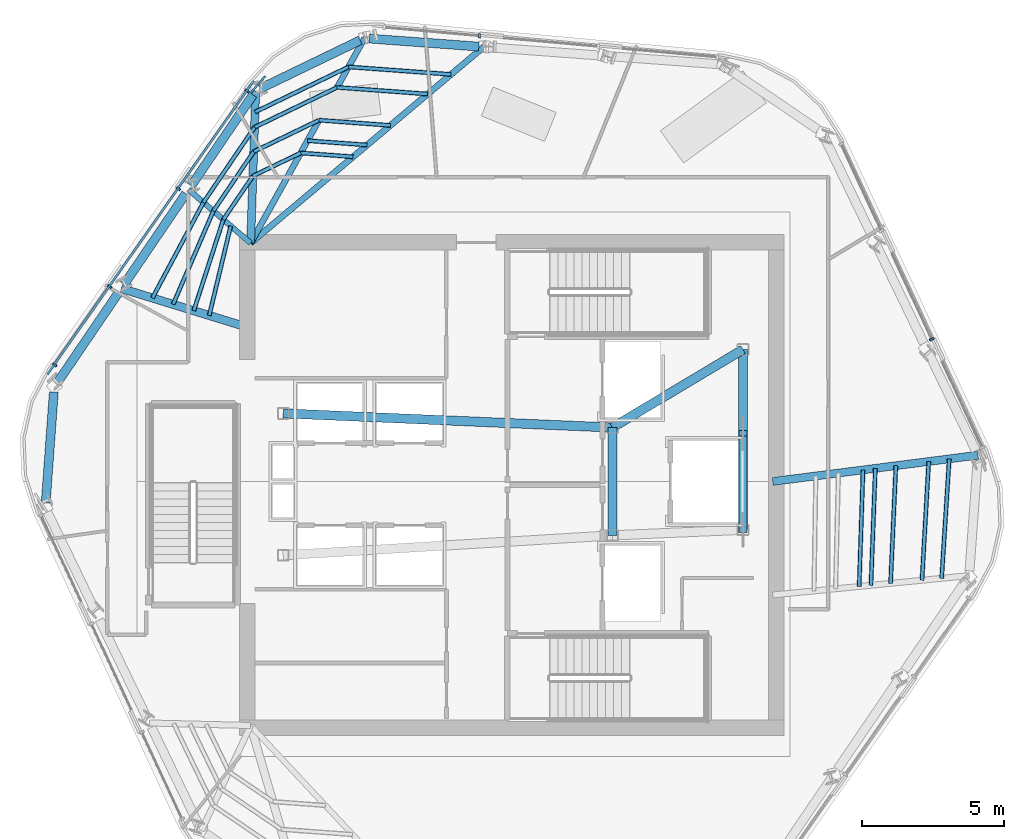
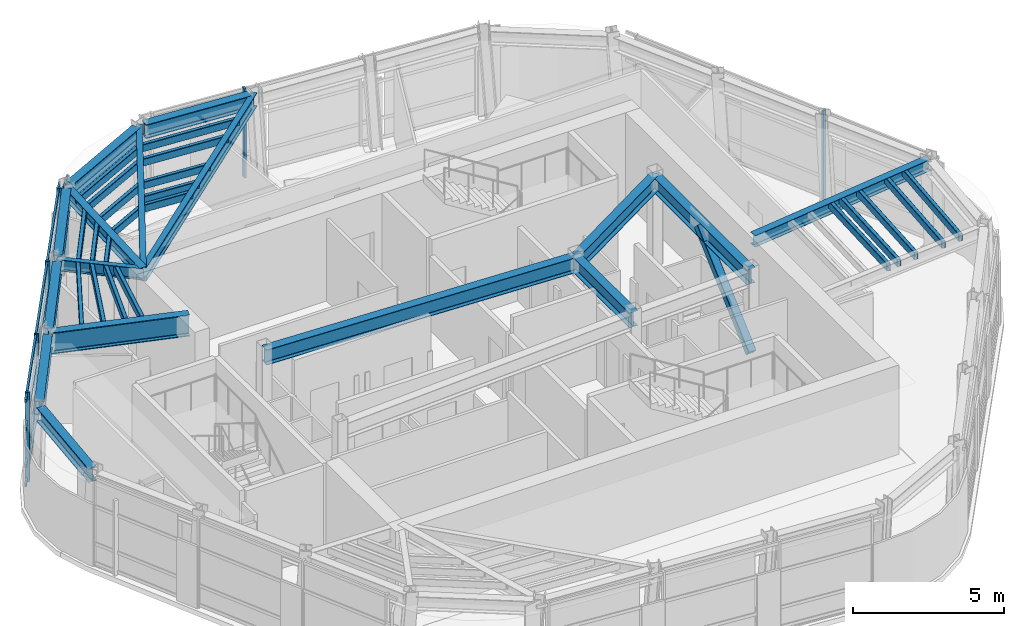
# One storey, part 3 of 12: 33 members, 16 beams, 3 elements without a shape of their own.
"""IFC4 building model written with IfcOpenShell, lengths in metres."""

from ifc_helpers import new_model, si_unit, direction, frame, origin, origin_2d, place, context, subcontext, project, spatial, rectangle, hollow_rectangle, i_section, extrude, material, layer, layer_set, material_profile, profile_set, type_object, element, aggregate, save


model = new_model("IFC4")

# Units and contexts
model_context = context("Model", 3, precision=1e-05, world=origin(), true_north=direction((0.0, 1.0)))
body_context = subcontext(model_context, "Body", "Model", "MODEL_VIEW")
ifc_project = project(units=[si_unit("LENGTHUNIT", "METRE"), si_unit("AREAUNIT", "SQUARE_METRE"), si_unit("VOLUMEUNIT", "CUBIC_METRE"), si_unit("PLANEANGLEUNIT", "RADIAN"), si_unit("MASSUNIT", "GRAM", prefix="KILO")], contexts=[model_context])

# Site, building, storey
site_placement = place(None, origin())
site = spatial("IfcSite", under=ifc_project, at=site_placement, CompositionType="ELEMENT")
building_placement = place(site_placement, origin())
building = spatial("IfcBuilding", under=site, at=building_placement, Name="Valkerne Bourse Tower", CompositionType="ELEMENT")
storey_placement = place(building_placement, frame((0.0, 0.0, 262.199951171875)))
storey = spatial("IfcBuildingStorey", under=building, at=storey_placement, Name="L66", CompositionType="ELEMENT", Elevation=262.199951171875)

# Beams
ifc_material_1 = material(Name="Steel ASTM A992", Category="steel")
ifc_material_profile_1 = material_profile(ifc_material_1, i_section(OverallWidth=0.1904296875, OverallDepth=0.457275390625, WebThickness=0.009033203125, FlangeThickness=0.014404296875, FilletRadius=0.01513671875, at=origin_2d()), Name="W18X50")
ifc_profile_set_1 = profile_set([ifc_material_profile_1], Name="Steel ASTM A992")
beam_type_1 = type_object("IfcBeamType", Name="BM-W18X50", PredefinedType="JOIST", material=ifc_profile_set_1)
beam_1_placement = place(storey_placement, frame((35.4130859375, 37.284912109375, 3.371337890625), z_axis=(0.757469079765, -0.652871038721, 0.0), x_axis=(0.652871038721, 0.757469079765, 0.0)))
element("IfcBeam", 1, at=beam_1_placement, inside=storey, type_object=beam_type_1, Name="L66 Radial Composite Floor Beam 05", PredefinedType="JOIST", context=body_context, shape_type="SweptSolid", body=[
    extrude(i_section(OverallWidth=0.1904296875, OverallDepth=0.457275390625, WebThickness=0.009033203125, FlangeThickness=0.014404296875, FilletRadius=0.01513671875, at=origin_2d()), origin(), (0.0, 0.0, 1.0), 2.88720703125),
])
ifc_material_profile_2 = material_profile(ifc_material_1, i_section(OverallWidth=0.279296875, OverallDepth=0.46240234375, WebThickness=0.0107421875, FlangeThickness=0.017333984375, FilletRadius=0.017822265625, at=origin_2d()), Name="W18X76")
ifc_profile_set_2 = profile_set([ifc_material_profile_2], Name="Steel ASTM A992")
beam_type_2 = type_object("IfcBeamType", Name="BM-W18X76", PredefinedType="BEAM", material=ifc_profile_set_2)
beam_2_placement = place(storey_placement, frame((37.78076171875, 40.7685546875, 3.368896484375), z_axis=(-0.033632621868, -0.999434263344, 0.0), x_axis=(0.999434263344, -0.033632621868, 0.0)))
element("IfcBeam", 2, at=beam_2_placement, inside=storey, type_object=beam_type_2, Name="L66 Radial Composite Floor Beam 04", PredefinedType="BEAM", context=body_context, shape_type="SweptSolid", body=[
    extrude(i_section(OverallWidth=0.279296875, OverallDepth=0.46240234375, WebThickness=0.0107421875, FlangeThickness=0.017333984375, FilletRadius=0.017822265625, at=origin_2d()), origin(), (0.0, 0.0, 1.0), 5.37158203125),
])
beam_3_placement = place(storey_placement, frame((63.2333984375, 27.9267578125, 3.368896484375), z_axis=(-0.991892055638, -0.127083240286, 0.0), x_axis=(0.127083240286, -0.991892055638, 0.0)))
element("IfcBeam", 3, at=beam_3_placement, inside=storey, type_object=beam_type_2, Name="L66 Radial Composite Floor Beam 20", PredefinedType="BEAM", context=body_context, shape_type="SweptSolid", body=[
    extrude(i_section(OverallWidth=0.279296875, OverallDepth=0.46240234375, WebThickness=0.0107421875, FlangeThickness=0.017333984375, FilletRadius=0.017822265625, at=origin_2d()), origin(), (0.0, 0.0, 1.0), 7.29248046875),
])
ifc_material_profile_3 = material_profile(ifc_material_1, i_section(OverallWidth=0.31494140625, OverallDepth=0.5537109375, WebThickness=0.0166015625, FlangeThickness=0.026123046875, FilletRadius=0.020263671875, at=origin_2d()), Name="W21X132")
ifc_profile_set_3 = profile_set([ifc_material_profile_3], Name="Steel ASTM A992")
beam_type_3 = type_object("IfcBeamType", Name="BM-W21X132", PredefinedType="BEAM", material=ifc_profile_set_3)
beam_4_placement = place(storey_placement, frame((45.643310546875, 42.32470703125, 3.3232421875), z_axis=(-0.997317245679, 0.073200488193, 0.0), x_axis=(-0.073200488193, -0.997317245679, 0.0)))
element("IfcBeam", 4, at=beam_4_placement, inside=storey, type_object=beam_type_3, Name="L66 Hexagonal Spandrel Ring Beam 02", PredefinedType="BEAM", context=body_context, shape_type="SweptSolid", body=[
    extrude(i_section(OverallWidth=0.31494140625, OverallDepth=0.5537109375, WebThickness=0.0166015625, FlangeThickness=0.026123046875, FilletRadius=0.020263671875, at=origin_2d()), origin(), (0.0, 0.0, 1.0), 3.872314453125),
])
beam_5_placement = place(storey_placement, frame((41.458984375, 42.546630859375, 3.3232421875), z_axis=(-0.900320856129, -0.435226786881, 0.0), x_axis=(0.435226786881, -0.900320856129, 0.0)))
element("IfcBeam", 5, at=beam_5_placement, inside=storey, type_object=beam_type_3, Name="L66 Hexagonal Spandrel Ring Beam 03", PredefinedType="BEAM", context=body_context, shape_type="SweptSolid", body=[
    extrude(i_section(OverallWidth=0.31494140625, OverallDepth=0.5537109375, WebThickness=0.0166015625, FlangeThickness=0.026123046875, FilletRadius=0.020263671875, at=origin_2d()), origin(), (0.0, 0.0, 1.0), 3.91552734375),
])
for number, where, z_axis, x_axis, name in (
    (6, (37.68505859375, 40.6279296875, 3.3232421875), (-0.562040953574, -0.827109404194, 0.0), (0.827109404194, -0.562040953574, 0.0), "L66 Hexagonal Spandrel Ring Beam 04"),
    (7, (35.317626953125, 37.144287109375, 3.3232421875), (-0.562040953574, -0.827109404194, 0.0), (0.827109404194, -0.562040953574, 0.0), "L66 Hexagonal Spandrel Ring Beam 05"),
    (8, (32.9501953125, 33.660400390625, 3.3232421875), (-0.562113397483, -0.827060172158, 0.0), (0.827060172158, -0.562113397483, 0.0), "L66 Hexagonal Spandrel Ring Beam 06"),
):
    element("IfcBeam", number, at=place(storey_placement, frame(where, z_axis=z_axis, x_axis=x_axis)), inside=storey, type_object=beam_type_3, Name=name, PredefinedType="BEAM", context=body_context, shape_type="SweptSolid", body=[
        extrude(i_section(OverallWidth=0.31494140625, OverallDepth=0.5537109375, WebThickness=0.0166015625, FlangeThickness=0.026123046875, FilletRadius=0.020263671875, at=origin_2d()), origin(), (0.0, 0.0, 1.0), 3.8720703125),
    ])
beam_6_placement = place(storey_placement, frame((30.665771484375, 30.14794921875, 3.3232421875), z_axis=(-0.073258487106, -0.997312987014, 0.0), x_axis=(0.997312987014, -0.073258487106, 0.0)))
element("IfcBeam", 9, at=beam_6_placement, inside=storey, type_object=beam_type_3, Name="L66 Hexagonal Spandrel Ring Beam 07", PredefinedType="BEAM", context=body_context, shape_type="SweptSolid", body=[
    extrude(i_section(OverallWidth=0.31494140625, OverallDepth=0.5537109375, WebThickness=0.0166015625, FlangeThickness=0.026123046875, FilletRadius=0.020263671875, at=origin_2d()), origin(), (0.0, 0.0, 1.0), 3.915771484375),
])
ifc_material_profile_4 = material_profile(ifc_material_1, i_section(OverallWidth=0.209228515625, OverallDepth=0.533447265625, WebThickness=0.01025390625, FlangeThickness=0.015625, FilletRadius=0.017822265625, at=origin_2d()), Name="W21X62")
ifc_profile_set_4 = profile_set([ifc_material_profile_4], Name="Steel ASTM A992")
beam_type_4 = type_object("IfcBeamType", Name="BM-W21X62", PredefinedType="JOIST", material=ifc_profile_set_4)
beam_7_placement = place(storey_placement, frame((41.612060546875, 42.62060546875, 3.333251953125), z_axis=(-0.485685590903, -0.874133574913, 0.0), x_axis=(0.874133574913, -0.485685590903, 0.0)))
element("IfcBeam", 10, at=beam_7_placement, inside=storey, type_object=beam_type_4, Name="L66 Radial Composite Floor Beam 03", PredefinedType="JOIST", context=body_context, shape_type="SweptSolid", body=[
    extrude(i_section(OverallWidth=0.209228515625, OverallDepth=0.533447265625, WebThickness=0.01025390625, FlangeThickness=0.015625, FilletRadius=0.017822265625, at=origin_2d()), origin(), (0.0, 0.0, 1.0), 8.260498046875),
])
ifc_material_profile_5 = material_profile(ifc_material_1, i_section(OverallWidth=0.2138671875, OverallDepth=0.548583984375, WebThickness=0.0146484375, FlangeThickness=0.023681640625, FilletRadius=0.017822265625, at=origin_2d()), Name="W21X93")
ifc_profile_set_5 = profile_set([ifc_material_profile_5], Name="Steel ASTM A992")
beam_type_5 = type_object("IfcBeamType", Name="BM-W21X93", PredefinedType="BEAM", material=ifc_profile_set_5)
beam_8_placement = place(storey_placement, frame((45.812744140625, 42.312255859375, 3.32568359375), z_axis=(-0.765074544626, -0.64394172187, 0.0), x_axis=(0.64394172187, -0.765074544626, 0.0)))
element("IfcBeam", 11, at=beam_8_placement, inside=storey, type_object=beam_type_5, Name="L66 Radial Composite Floor Beam 02", PredefinedType="BEAM", context=body_context, shape_type="SweptSolid", body=[
    extrude(i_section(OverallWidth=0.2138671875, OverallDepth=0.548583984375, WebThickness=0.0146484375, FlangeThickness=0.023681640625, FilletRadius=0.017822265625, at=origin_2d()), origin(), (0.0, 0.0, 1.0), 10.734375),
])
ifc_material_profile_6 = material_profile(ifc_material_1, i_section(OverallWidth=0.3251953125, OverallDepth=0.612060546875, WebThickness=0.0126953125, FlangeThickness=0.01904296875, FilletRadius=0.020263671875, at=origin_2d()), Name="W24X104")
ifc_profile_set_6 = profile_set([ifc_material_profile_6], Name="Steel ASTM A992")
beam_type_6 = type_object("IfcBeamType", Name="BM-W24X104", PredefinedType="BEAM", material=ifc_profile_set_6)
beam_9_placement = place(storey_placement, frame((50.35009765625, 25.10009765625, 3.2939453125), z_axis=(0.0, 1.0, 0.0), x_axis=(-1.0, 0.0, 0.0)))
element("IfcBeam", 12, at=beam_9_placement, inside=storey, type_object=beam_type_6, Name="L66 Core Frame Girder CG-CE", PredefinedType="BEAM", context=body_context, shape_type="SweptSolid", body=[
    extrude(i_section(OverallWidth=0.3251953125, OverallDepth=0.612060546875, WebThickness=0.0126953125, FlangeThickness=0.01904296875, FilletRadius=0.020263671875, at=origin_2d()), origin(), (0.0, 0.0, 1.0), 3.7998046875),
])
beam_10_placement = place(storey_placement, frame((50.35009765625, 28.89990234375, 3.2939453125), z_axis=(0.858307823492, 0.513135148019, 0.0), x_axis=(-0.513135148019, 0.858307823492, 0.0)))
element("IfcBeam", 13, at=beam_10_placement, inside=storey, type_object=beam_type_6, Name="L66 Core Frame Girder CG-NE", PredefinedType="BEAM", context=body_context, shape_type="SweptSolid", body=[
    extrude(i_section(OverallWidth=0.3251953125, OverallDepth=0.612060546875, WebThickness=0.0126953125, FlangeThickness=0.01904296875, FilletRadius=0.020263671875, at=origin_2d()), origin(), (0.0, 0.0, 1.0), 5.359130859375),
])
beam_11_placement = place(storey_placement, frame((54.949951171875, 25.300048828125, 3.2939453125), z_axis=(0.0, 1.0, 0.0), x_axis=(-1.0, 0.0, 0.0)))
element("IfcBeam", 14, at=beam_11_placement, inside=storey, type_object=beam_type_6, Name="L66 Core Frame Girder CG-EE", PredefinedType="BEAM", context=body_context, shape_type="SweptSolid", body=[
    extrude(i_section(OverallWidth=0.3251953125, OverallDepth=0.612060546875, WebThickness=0.0126953125, FlangeThickness=0.01904296875, FilletRadius=0.020263671875, at=origin_2d()), origin(), (0.0, 0.0, 1.0), 6.349853515625),
])
beam_12_placement = place(storey_placement, frame((38.75, 29.39990234375, 3.2939453125), z_axis=(0.999072354402, -0.043063101019, 0.0), x_axis=(0.043063101019, 0.999072354402, 0.0)))
element("IfcBeam", 15, at=beam_12_placement, inside=storey, type_object=beam_type_6, Name="L66 Core Frame Girder CG-NW", PredefinedType="BEAM", context=body_context, shape_type="SweptSolid", body=[
    extrude(i_section(OverallWidth=0.3251953125, OverallDepth=0.612060546875, WebThickness=0.0126953125, FlangeThickness=0.01904296875, FilletRadius=0.020263671875, at=origin_2d()), origin(), (0.0, 0.0, 1.0), 11.61083984375),
])
ifc_material_profile_7 = material_profile(ifc_material_1, i_section(OverallWidth=0.2919921875, OverallDepth=0.8583984375, WebThickness=0.01708984375, FlangeThickness=0.031005859375, FilletRadius=0.025390625, at=origin_2d()), Name="W33X169")
ifc_profile_set_7 = profile_set([ifc_material_profile_7], Name="Steel ASTM A992")
beam_type_7 = type_object("IfcBeamType", Name="BM-W33X169", PredefinedType="BEAM", material=ifc_profile_set_7)
beam_13_placement = place(storey_placement, frame((33.045654296875, 33.801025390625, 3.170654296875), z_axis=(0.955793408833, -0.2940390444, 0.0), x_axis=(0.2940390444, 0.955793408833, 0.0)))
element("IfcBeam", 16, at=beam_13_placement, inside=storey, type_object=beam_type_7, Name="L66 Radial Composite Floor Beam 06", PredefinedType="BEAM", context=body_context, shape_type="SweptSolid", body=[
    extrude(i_section(OverallWidth=0.2919921875, OverallDepth=0.8583984375, WebThickness=0.01708984375, FlangeThickness=0.031005859375, FilletRadius=0.025390625, at=origin_2d()), origin(), (0.0, 0.0, 1.0), 4.76513671875),
])

# Curtain wall, member
ifc_material_2 = material(Name="Aluminium AA 6063-T6", Category="aluminium")
ifc_layer = layer(ifc_material_2, 0.2451171875)
ifc_layer_set = layer_set([ifc_layer], Name="Aluminium AA 6063-T6")
curtain_wall_type = type_object("IfcCurtainWallType", Name="CW-05", PredefinedType="NOTDEFINED", material=ifc_layer_set)
curtain_wall_1_placement = place(storey_placement, origin())
curtain_wall_1 = element("IfcCurtainWall", 17, at=curtain_wall_1_placement, inside=storey, type_object=curtain_wall_type, Name="L66 Hexagonal Stick Curtain Wall Face 1", PredefinedType="NOTDEFINED")
ifc_material_profile_8 = material_profile(ifc_material_2, rectangle(XDim=0.074951171875, YDim=0.159912109375, at=origin_2d()), Name="CWM-75X160")
ifc_profile_set_8 = profile_set([ifc_material_profile_8], Name="Aluminium AA 6063-T6")
member_type_1 = type_object("IfcMemberType", Name="CW-MUL-160X75", PredefinedType="MULLION", material=ifc_profile_set_8)
member_1_placement = place(storey_placement, frame((45.665283203125, 42.701904296875, 0.0), z_axis=(0.0, 0.0, 1.0), x_axis=(-0.996041497395, 0.088889456445, 0.0)))
member_1 = element("IfcMember", 18, at=member_1_placement, type_object=member_type_1, Name="CW-L66-F1 Jamb Mullion 02A", PredefinedType="MULLION", context=body_context, shape_type="SweptSolid", body=[
    extrude(rectangle(XDim=0.074951171875, YDim=0.159912109375, at=origin_2d()), origin(), (0.0, 0.0, 1.0), 3.60009765625),
])
aggregate(curtain_wall_1, [member_1])

# Curtain wall, members
curtain_wall_2_placement = place(storey_placement, origin())
curtain_wall_2 = element("IfcCurtainWall", 19, at=curtain_wall_2_placement, inside=storey, type_object=curtain_wall_type, Name="L66 Hexagonal Stick Curtain Wall Face 2", PredefinedType="NOTDEFINED")
member_2_placement = place(storey_placement, frame((37.478271484375, 40.76025390625, 0.0), z_axis=(0.0, 0.0, 1.0), x_axis=(-0.575006942381, -0.818148529433, 0.0)))
member_2 = element("IfcMember", 20, at=member_2_placement, type_object=member_type_1, Name="CW-L66-F2 Jamb Mullion 00A", PredefinedType="MULLION", context=body_context, shape_type="SweptSolid", body=[
    extrude(rectangle(XDim=0.074951171875, YDim=0.159912109375, at=origin_2d()), origin(), (0.0, 0.0, 1.0), 3.60009765625),
])
member_3_placement = place(storey_placement, frame((35.056396484375, 37.314208984375, 0.0), z_axis=(0.0, 0.0, 1.0), x_axis=(-0.574995773335, -0.818156379091, 0.0)))
member_3 = element("IfcMember", 21, at=member_3_placement, type_object=member_type_1, Name="CW-L66-F2 Jamb Mullion 01A", PredefinedType="MULLION", context=body_context, shape_type="SweptSolid", body=[
    extrude(rectangle(XDim=0.074951171875, YDim=0.159912109375, at=origin_2d()), origin(), (0.0, 0.0, 1.0), 3.60009765625),
])
member_4_placement = place(storey_placement, frame((32.634521484375, 33.8681640625, 0.0), z_axis=(0.0, 0.0, 1.0), x_axis=(-0.575006942381, -0.818148529433, 0.0)))
member_4 = element("IfcMember", 22, at=member_4_placement, type_object=member_type_1, Name="CW-L66-F2 Jamb Mullion 02A", PredefinedType="MULLION", context=body_context, shape_type="SweptSolid", body=[
    extrude(rectangle(XDim=0.074951171875, YDim=0.159912109375, at=origin_2d()), origin(), (0.0, 0.0, 1.0), 3.60009765625),
])
member_5_placement = place(storey_placement, frame((30.695556640625, 31.109375, 0.0), z_axis=(0.0, 0.0, 1.0), x_axis=(-0.575006942381, -0.818148529433, 0.0)))
member_5 = element("IfcMember", 23, at=member_5_placement, type_object=member_type_1, Name="CW-L66-F2 Jamb Mullion 02B", PredefinedType="MULLION", context=body_context, shape_type="SweptSolid", body=[
    extrude(rectangle(XDim=0.074951171875, YDim=0.159912109375, at=origin_2d()), origin(), (0.0, 0.0, 1.0), 3.60009765625),
])

# Curtain wall, member
curtain_wall_3_placement = place(storey_placement, origin())
curtain_wall_3 = element("IfcCurtainWall", 24, at=curtain_wall_3_placement, inside=storey, type_object=curtain_wall_type, Name="L66 Hexagonal Stick Curtain Wall Face 6", PredefinedType="NOTDEFINED")
member_6_placement = place(storey_placement, frame((61.604248046875, 32.01318359375, 0.0), z_axis=(0.0, 0.0, 1.0), x_axis=(-0.421032481957, 0.907045560673, 0.0)))
member_6 = element("IfcMember", 25, at=member_6_placement, type_object=member_type_1, Name="CW-L66-F6 Jamb Mullion 01A", PredefinedType="MULLION", context=body_context, shape_type="SweptSolid", body=[
    extrude(rectangle(XDim=0.074951171875, YDim=0.159912109375, at=origin_2d()), origin(), (0.0, 0.0, 1.0), 3.60009765625),
])
aggregate(curtain_wall_3, [member_6])

# Member
ifc_material_profile_9 = material_profile(ifc_material_2, rectangle(XDim=0.074951171875, YDim=0.1201171875, at=origin_2d()), Name="CWT-75X120")
ifc_profile_set_9 = profile_set([ifc_material_profile_9], Name="Aluminium AA 6063-T6")
member_type_2 = type_object("IfcMemberType", Name="CW-TRN-120X75", PredefinedType="USERDEFINED", material=ifc_profile_set_9)
member_7_placement = place(storey_placement, frame((37.70361328125, 41.115478515625, 0.1201171875), z_axis=(-0.57501088489, -0.818145758565, 0.0), x_axis=(0.818145758565, -0.57501088489, 0.0)))
member_7 = element("IfcMember", 26, at=member_7_placement, type_object=member_type_2, Name="CW-L66-F2 Continuous Face Transom 1", ObjectType="TRANSOM", PredefinedType="USERDEFINED", context=body_context, shape_type="SweptSolid", body=[
    extrude(rectangle(XDim=0.074951171875, YDim=0.1201171875, at=origin_2d()), origin(), (0.0, 0.0, 1.0), 12.635986328125),
])

member_8_placement = place(storey_placement, frame((37.70361328125, 41.115478515625, 0.900146484375), z_axis=(-0.57501088489, -0.818145758565, 0.0), x_axis=(0.818145758565, -0.57501088489, 0.0)))
member_8 = element("IfcMember", 27, at=member_8_placement, type_object=member_type_2, Name="CW-L66-F2 Continuous Face Transom 2", ObjectType="TRANSOM", PredefinedType="USERDEFINED", context=body_context, shape_type="SweptSolid", body=[
    extrude(rectangle(XDim=0.074951171875, YDim=0.1201171875, at=origin_2d()), origin(), (0.0, 0.0, 1.0), 12.635986328125),
])

member_9_placement = place(storey_placement, frame((37.70361328125, 41.115478515625, 2.400146484375), z_axis=(-0.57501088489, -0.818145758565, 0.0), x_axis=(0.818145758565, -0.57501088489, 0.0)))
member_9 = element("IfcMember", 28, at=member_9_placement, type_object=member_type_2, Name="CW-L66-F2 Continuous Face Transom 3", ObjectType="TRANSOM", PredefinedType="USERDEFINED", context=body_context, shape_type="SweptSolid", body=[
    extrude(rectangle(XDim=0.074951171875, YDim=0.1201171875, at=origin_2d()), origin(), (0.0, 0.0, 1.0), 12.635986328125),
])

member_10_placement = place(storey_placement, frame((37.70361328125, 41.115478515625, 3.52001953125), z_axis=(-0.57501088489, -0.818145758565, 0.0), x_axis=(0.818145758565, -0.57501088489, 0.0)))
member_10 = element("IfcMember", 29, at=member_10_placement, type_object=member_type_2, Name="CW-L66-F2 Continuous Face Transom 4", ObjectType="TRANSOM", PredefinedType="USERDEFINED", context=body_context, shape_type="SweptSolid", body=[
    extrude(rectangle(XDim=0.074951171875, YDim=0.1201171875, at=origin_2d()), origin(), (0.0, 0.0, 1.0), 12.635986328125),
])

aggregate(curtain_wall_2, [member_7, member_8, member_9, member_10, member_2, member_3, member_4, member_5])

# Members
ifc_material_3 = material(Name="Bronze Anodised Aluminium AA 6063-T6", Category="aluminium")
ifc_material_profile_10 = material_profile(ifc_material_3, rectangle(XDim=0.06494140625, YDim=0.75, at=origin_2d()), Name="FIN-65X750")
ifc_profile_set_10 = profile_set([ifc_material_profile_10], Name="Bronze Anodised Aluminium AA 6063-T6")
member_type_3 = type_object("IfcMemberType", Name="FIN-SOLAR-650", PredefinedType="USERDEFINED", material=ifc_profile_set_10)
member_11_placement = place(storey_placement, frame((37.8671875, 41.00048828125, 0.004150390625), z_axis=(0.0, 0.0, 1.0), x_axis=(-0.751732859139, 0.659467746362, 0.0)))
element("IfcMember", 30, at=member_11_placement, inside=storey, type_object=member_type_3, Name="L66 Bronze Anodised Solar Fin F2-00", ObjectType="SOLAR_FIN", PredefinedType="USERDEFINED", context=body_context, shape_type="SweptSolid", body=[
    extrude(rectangle(XDim=0.06494140625, YDim=0.75, at=origin_2d()), origin(), (0.0, 0.0, 1.0), 3.591796875),
])
ifc_material_4 = material(Name="Steel ASTM A500 Grade C", Category="steel")
ifc_material_profile_11 = material_profile(ifc_material_4, hollow_rectangle(XDim=0.14990234375, YDim=0.300048828125, WallThickness=0.012451171875, OuterFilletRadius=0.02490234375, at=origin_2d()), Name="HSS300X150X12.5")
ifc_profile_set_11 = profile_set([ifc_material_profile_11], Name="Steel ASTM A500 Grade C")
member_type_4 = type_object("IfcMemberType", Name="MBR-HSS300X150X12.5", PredefinedType="PURLIN", material=ifc_profile_set_11)
member_12_placement = place(storey_placement, frame((36.900146484375, 36.003173828125, 3.43994140625), z_axis=(-0.233495328648, -0.972357923555, 0.0), x_axis=(0.972357923555, -0.233495328648, 0.0)))
element("IfcMember", 31, at=member_12_placement, inside=storey, type_object=member_type_4, Name="L66 Secondary Composite Floor Purlin I-05", PredefinedType="PURLIN", context=body_context, shape_type="SweptSolid", body=[
    extrude(hollow_rectangle(XDim=0.14990234375, YDim=0.300048828125, WallThickness=0.012451171875, OuterFilletRadius=0.02490234375, at=origin_2d()), origin(), (0.0, 0.0, 1.0), 3.244384765625),
])
member_13_placement = place(storey_placement, frame((41.213623046875, 38.44140625, 3.43994140625), z_axis=(-0.997314279843, 0.073240884902, 0.0), x_axis=(-0.073240884902, -0.997314279843, 0.0)))
element("IfcMember", 32, at=member_13_placement, inside=storey, type_object=member_type_4, Name="L66 Secondary Composite Floor Purlin K-02", PredefinedType="PURLIN", context=body_context, shape_type="SweptSolid", body=[
    extrude(hollow_rectangle(XDim=0.14990234375, YDim=0.300048828125, WallThickness=0.012451171875, OuterFilletRadius=0.02490234375, at=origin_2d()), origin(), (0.0, 0.0, 1.0), 1.853271484375),
])
member_14_placement = place(storey_placement, frame((39.365234375, 38.5771484375, 3.43994140625), z_axis=(-0.900319150607, -0.435230314949, 0.0), x_axis=(0.435230314949, -0.900319150607, 0.0)))
element("IfcMember", 33, at=member_14_placement, inside=storey, type_object=member_type_4, Name="L66 Secondary Composite Floor Purlin K-03", PredefinedType="PURLIN", context=body_context, shape_type="SweptSolid", body=[
    extrude(hollow_rectangle(XDim=0.14990234375, YDim=0.300048828125, WallThickness=0.012451171875, OuterFilletRadius=0.02490234375, at=origin_2d()), origin(), (0.0, 0.0, 1.0), 1.87255859375),
])
member_15_placement = place(storey_placement, frame((37.679443359375, 37.76220703125, 3.43994140625), z_axis=(-0.562064996424, -0.827093065982, 0.0), x_axis=(0.827093065982, -0.562064996424, 0.0)))
element("IfcMember", 34, at=member_15_placement, inside=storey, type_object=member_type_4, Name="L66 Secondary Composite Floor Purlin K-04", PredefinedType="PURLIN", context=body_context, shape_type="SweptSolid", body=[
    extrude(hollow_rectangle(XDim=0.14990234375, YDim=0.300048828125, WallThickness=0.012451171875, OuterFilletRadius=0.02490234375, at=origin_2d()), origin(), (0.0, 0.0, 1.0), 1.853515625),
])
member_16_placement = place(storey_placement, frame((36.6376953125, 36.229248046875, 3.43994140625), z_axis=(-0.308388019221, -0.951260652819, 0.0), x_axis=(0.951260652819, -0.308388019221, 0.0)))
element("IfcMember", 35, at=member_16_placement, inside=storey, type_object=member_type_4, Name="L66 Secondary Composite Floor Purlin K-05", PredefinedType="PURLIN", context=body_context, shape_type="SweptSolid", body=[
    extrude(hollow_rectangle(XDim=0.14990234375, YDim=0.300048828125, WallThickness=0.012451171875, OuterFilletRadius=0.02490234375, at=origin_2d()), origin(), (0.0, 0.0, 1.0), 3.377197265625),
])
member_17_placement = place(storey_placement, frame((59.045654296875, 23.30029296875, 3.43994140625), z_axis=(0.033326698219, 0.999444511309, 0.0), x_axis=(-0.999444511309, 0.033326698219, 0.0)))
element("IfcMember", 36, at=member_17_placement, inside=storey, type_object=member_type_4, Name="L66 Secondary Composite Floor Purlin K-19", PredefinedType="PURLIN", context=body_context, shape_type="SweptSolid", body=[
    extrude(hollow_rectangle(XDim=0.14990234375, YDim=0.300048828125, WallThickness=0.012451171875, OuterFilletRadius=0.02490234375, at=origin_2d()), origin(), (0.0, 0.0, 1.0), 4.109619140625),
])
member_18_placement = place(storey_placement, frame((41.706298828125, 38.856201171875, 3.43994140625), z_axis=(-0.997320949506, 0.073150008037, 0.0), x_axis=(-0.073150008037, -0.997320949506, 0.0)))
element("IfcMember", 37, at=member_18_placement, inside=storey, type_object=member_type_4, Name="L66 Secondary Composite Floor Purlin M-02", PredefinedType="PURLIN", context=body_context, shape_type="SweptSolid", body=[
    extrude(hollow_rectangle(XDim=0.14990234375, YDim=0.300048828125, WallThickness=0.012451171875, OuterFilletRadius=0.02490234375, at=origin_2d()), origin(), (0.0, 0.0, 1.0), 2.10595703125),
])
member_19_placement = place(storey_placement, frame((59.4609375, 23.34130859375, 3.43994140625), z_axis=(0.037760305294, 0.999286825363, 0.0), x_axis=(-0.999286825363, 0.037760305294, 0.0)))
element("IfcMember", 38, at=member_19_placement, inside=storey, type_object=member_type_4, Name="L66 Secondary Composite Floor Purlin M-19", PredefinedType="PURLIN", context=body_context, shape_type="SweptSolid", body=[
    extrude(hollow_rectangle(XDim=0.14990234375, YDim=0.300048828125, WallThickness=0.012451171875, OuterFilletRadius=0.02490234375, at=origin_2d()), origin(), (0.0, 0.0, 1.0), 4.125),
])
member_20_placement = place(storey_placement, frame((43.841796875, 40.6533203125, 3.43994140625), z_axis=(-0.997316230819, 0.073214313802, 0.0), x_axis=(-0.073214313802, -0.997316230819, 0.0)))
element("IfcMember", 39, at=member_20_placement, inside=storey, type_object=member_type_4, Name="L66 Secondary Composite Floor Purlin O-02", PredefinedType="PURLIN", context=body_context, shape_type="SweptSolid", body=[
    extrude(hollow_rectangle(XDim=0.14990234375, YDim=0.300048828125, WallThickness=0.012451171875, OuterFilletRadius=0.02490234375, at=origin_2d()), origin(), (0.0, 0.0, 1.0), 3.201171875),
])
member_21_placement = place(storey_placement, frame((40.649169921875, 40.8876953125, 3.43994140625), z_axis=(-0.900310994392, -0.435247186523, 0.0), x_axis=(0.435247186523, -0.900310994392, 0.0)))
element("IfcMember", 40, at=member_21_placement, inside=storey, type_object=member_type_4, Name="L66 Secondary Composite Floor Purlin O-03", PredefinedType="PURLIN", context=body_context, shape_type="SweptSolid", body=[
    extrude(hollow_rectangle(XDim=0.14990234375, YDim=0.300048828125, WallThickness=0.012451171875, OuterFilletRadius=0.02490234375, at=origin_2d()), origin(), (0.0, 0.0, 1.0), 3.234375),
])
member_22_placement = place(storey_placement, frame((37.7373046875, 39.47998046875, 3.43994140625), z_axis=(-0.562105562146, -0.827065497409, 0.0), x_axis=(0.827065497409, -0.562105562146, 0.0)))
element("IfcMember", 41, at=member_22_placement, inside=storey, type_object=member_type_4, Name="L66 Secondary Composite Floor Purlin O-04", PredefinedType="PURLIN", context=body_context, shape_type="SweptSolid", body=[
    extrude(hollow_rectangle(XDim=0.14990234375, YDim=0.300048828125, WallThickness=0.012451171875, OuterFilletRadius=0.02490234375, at=origin_2d()), origin(), (0.0, 0.0, 1.0), 3.200927734375),
])
member_23_placement = place(storey_placement, frame((35.93798828125, 36.83251953125, 3.43994140625), z_axis=(-0.47124521479, -0.88200223783, 0.0), x_axis=(0.88200223783, -0.47124521479, 0.0)))
element("IfcMember", 42, at=member_23_placement, inside=storey, type_object=member_type_4, Name="L66 Secondary Composite Floor Purlin O-05", PredefinedType="PURLIN", context=body_context, shape_type="SweptSolid", body=[
    extrude(hollow_rectangle(XDim=0.14990234375, YDim=0.300048828125, WallThickness=0.012451171875, OuterFilletRadius=0.02490234375, at=origin_2d()), origin(), (0.0, 0.0, 1.0), 3.818115234375),
])
member_24_placement = place(storey_placement, frame((61.260498046875, 23.518798828125, 3.43994140625), z_axis=(0.056547265834, 0.998399923241, 0.0), x_axis=(-0.998399923241, 0.056547265834, 0.0)))
element("IfcMember", 43, at=member_24_placement, inside=storey, type_object=member_type_4, Name="L66 Secondary Composite Floor Purlin O-19", PredefinedType="PURLIN", context=body_context, shape_type="SweptSolid", body=[
    extrude(hollow_rectangle(XDim=0.14990234375, YDim=0.300048828125, WallThickness=0.012451171875, OuterFilletRadius=0.02490234375, at=origin_2d()), origin(), (0.0, 0.0, 1.0), 4.192138671875),
])
member_25_placement = place(storey_placement, frame((42.527587890625, 39.54736328125, 3.43994140625), z_axis=(-0.997314997506, 0.073231111897, 0.0), x_axis=(-0.073231111897, -0.997314997506, 0.0)))
element("IfcMember", 44, at=member_25_placement, inside=storey, type_object=member_type_4, Name="L66 Secondary Composite Floor Purlin Z-02", PredefinedType="PURLIN", context=body_context, shape_type="SweptSolid", body=[
    extrude(hollow_rectangle(XDim=0.14990234375, YDim=0.300048828125, WallThickness=0.012451171875, OuterFilletRadius=0.02490234375, at=origin_2d()), origin(), (0.0, 0.0, 1.0), 2.527099609375),
])
member_26_placement = place(storey_placement, frame((40.00732421875, 39.732421875, 3.43994140625), z_axis=(-0.900313984995, -0.435241000393, 0.0), x_axis=(0.435241000393, -0.900313984995, 0.0)))
element("IfcMember", 45, at=member_26_placement, inside=storey, type_object=member_type_4, Name="L66 Secondary Composite Floor Purlin Z-03", PredefinedType="PURLIN", context=body_context, shape_type="SweptSolid", body=[
    extrude(hollow_rectangle(XDim=0.14990234375, YDim=0.300048828125, WallThickness=0.012451171875, OuterFilletRadius=0.02490234375, at=origin_2d()), origin(), (0.0, 0.0, 1.0), 2.553466796875),
])
member_27_placement = place(storey_placement, frame((37.70849609375, 38.62109375, 3.43994140625), z_axis=(-0.56214618302, -0.82703788844, 0.0), x_axis=(0.82703788844, -0.56214618302, 0.0)))
element("IfcMember", 46, at=member_27_placement, inside=storey, type_object=member_type_4, Name="L66 Secondary Composite Floor Purlin Z-04", PredefinedType="PURLIN", context=body_context, shape_type="SweptSolid", body=[
    extrude(hollow_rectangle(XDim=0.14990234375, YDim=0.300048828125, WallThickness=0.012451171875, OuterFilletRadius=0.02490234375, at=origin_2d()), origin(), (0.0, 0.0, 1.0), 2.527099609375),
])
member_28_placement = place(storey_placement, frame((36.287841796875, 36.531005859375, 3.43994140625), z_axis=(-0.396343363752, -0.918102357044, 0.0), x_axis=(0.918102357044, -0.396343363752, 0.0)))
element("IfcMember", 47, at=member_28_placement, inside=storey, type_object=member_type_4, Name="L66 Secondary Composite Floor Purlin Z-05", PredefinedType="PURLIN", context=body_context, shape_type="SweptSolid", body=[
    extrude(hollow_rectangle(XDim=0.14990234375, YDim=0.300048828125, WallThickness=0.012451171875, OuterFilletRadius=0.02490234375, at=origin_2d()), origin(), (0.0, 0.0, 1.0), 3.583740234375),
])
member_29_placement = place(storey_placement, frame((60.153076171875, 23.409423828125, 3.43994140625), z_axis=(0.045052823563, 0.998984606032, 0.0), x_axis=(-0.998984606032, 0.045052823563, 0.0)))
element("IfcMember", 48, at=member_29_placement, inside=storey, type_object=member_type_4, Name="L66 Secondary Composite Floor Purlin Z-19", PredefinedType="PURLIN", context=body_context, shape_type="SweptSolid", body=[
    extrude(hollow_rectangle(XDim=0.14990234375, YDim=0.300048828125, WallThickness=0.012451171875, OuterFilletRadius=0.02490234375, at=origin_2d()), origin(), (0.0, 0.0, 1.0), 4.15087890625),
])
member_30_placement = place(storey_placement, frame((44.6630859375, 41.344482421875, 3.43994140625), z_axis=(-0.997317908169, 0.073191461567, 0.0), x_axis=(-0.073191461567, -0.997317908169, 0.0)))
element("IfcMember", 49, at=member_30_placement, inside=storey, type_object=member_type_4, Name="L66 Secondary Composite Floor Purlin T-02", PredefinedType="PURLIN", context=body_context, shape_type="SweptSolid", body=[
    extrude(hollow_rectangle(XDim=0.14990234375, YDim=0.300048828125, WallThickness=0.012451171875, OuterFilletRadius=0.02490234375, at=origin_2d()), origin(), (0.0, 0.0, 1.0), 3.62255859375),
])
member_31_placement = place(storey_placement, frame((41.05029296875, 41.609619140625, 3.43994140625), z_axis=(-0.900324556514, -0.435219132091, 0.0), x_axis=(0.435219132091, -0.900324556514, 0.0)))
element("IfcMember", 50, at=member_31_placement, inside=storey, type_object=member_type_4, Name="L66 Secondary Composite Floor Purlin T-03", PredefinedType="PURLIN", context=body_context, shape_type="SweptSolid", body=[
    extrude(hollow_rectangle(XDim=0.14990234375, YDim=0.300048828125, WallThickness=0.012451171875, OuterFilletRadius=0.02490234375, at=origin_2d()), origin(), (0.0, 0.0, 1.0), 3.65966796875),
])
member_32_placement = place(storey_placement, frame((61.95263671875, 23.5869140625, 3.43994140625), z_axis=(0.063541961503, 0.997979167683, 0.0), x_axis=(-0.997979167683, 0.063541961503, 0.0)))
element("IfcMember", 51, at=member_32_placement, inside=storey, type_object=member_type_4, Name="L66 Secondary Composite Floor Purlin T-19", PredefinedType="PURLIN", context=body_context, shape_type="SweptSolid", body=[
    extrude(hollow_rectangle(XDim=0.14990234375, YDim=0.300048828125, WallThickness=0.012451171875, OuterFilletRadius=0.02490234375, at=origin_2d()), origin(), (0.0, 0.0, 1.0), 4.21875),
])
ifc_material_profile_12 = material_profile(ifc_material_4, hollow_rectangle(XDim=0.300048828125, YDim=0.300048828125, WallThickness=0.012451171875, OuterFilletRadius=0.02490234375, at=origin_2d()), Name="HSS300X300X12.5")
ifc_profile_set_12 = profile_set([ifc_material_profile_12], Name="Steel ASTM A500 Grade C")
member_type_5 = type_object("IfcMemberType", Name="MBR-HSS300X300X12.5", PredefinedType="STRUT", material=ifc_profile_set_12)
member_33_placement = place(storey_placement, frame((54.949951171875, 25.300048828125, 0.219970703125), z_axis=(0.0, 0.741766660352, 0.670658051163), x_axis=(-1.0, 0.0, 0.0)))
element("IfcMember", 52, at=member_33_placement, inside=storey, type_object=member_type_5, Name="L66 Core Service Pier Lateral Brace", PredefinedType="STRUT", context=body_context, shape_type="SweptSolid", body=[
    extrude(hollow_rectangle(XDim=0.300048828125, YDim=0.300048828125, WallThickness=0.012451171875, OuterFilletRadius=0.02490234375, at=origin_2d()), origin(), (0.0, 0.0, 1.0), 4.58349609375),
])

save(model, "model.ifc")
